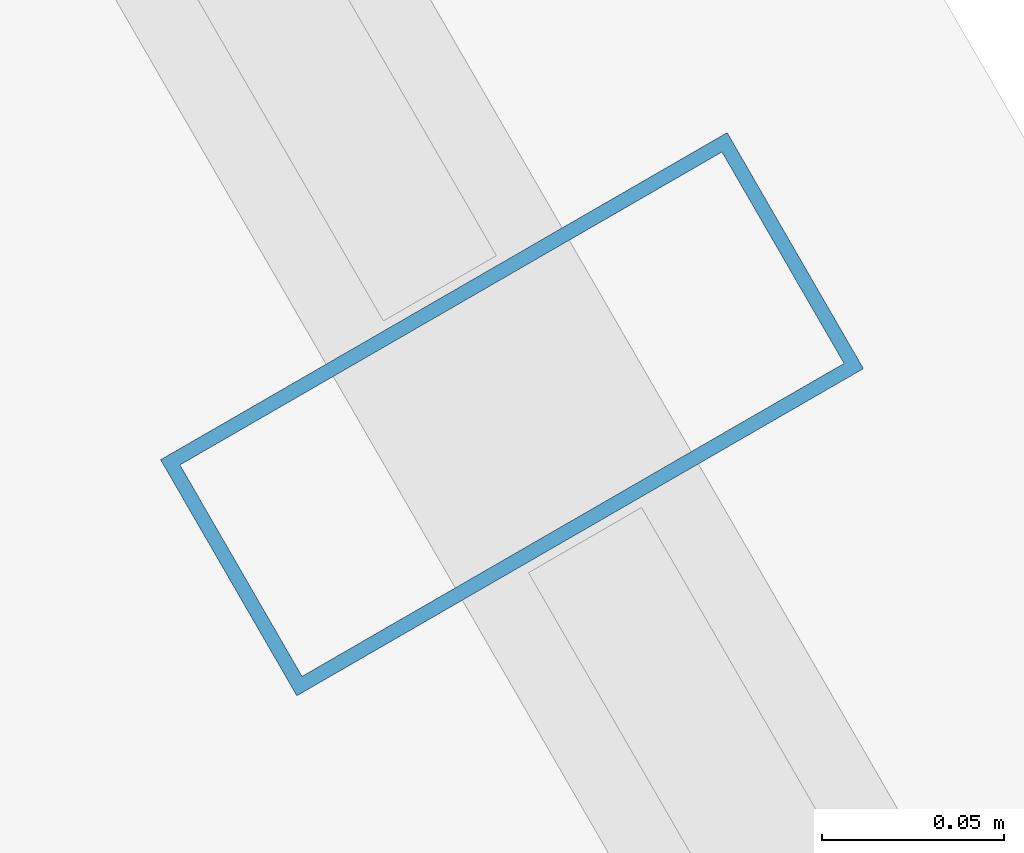
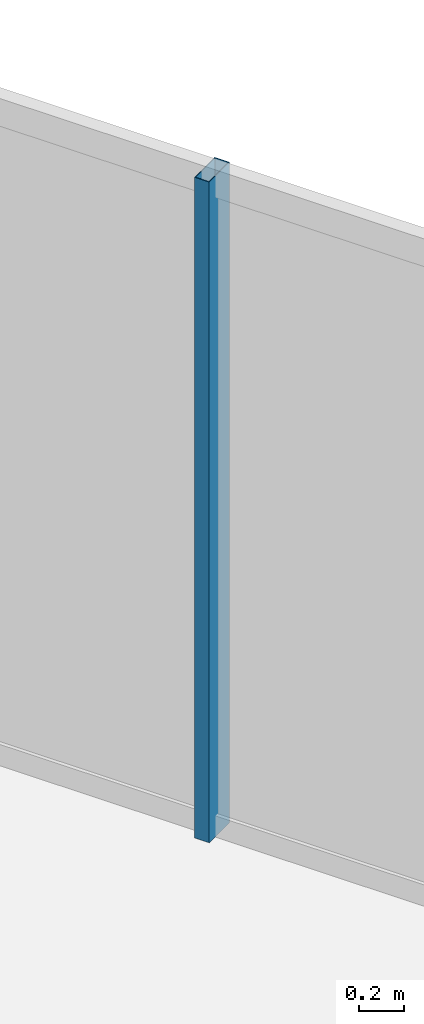
# One storey, part 19 of 31: 1 member, 1 element without a shape of its own.
"""IFC4 building model written with IfcOpenShell, lengths in metres."""

from ifc_helpers import new_model, si_unit, direction, frame, origin, origin_2d, place, context, subcontext, project, spatial, hollow_rectangle, extrude, material, layer, layer_set, material_profile, profile_set, type_object, element, aggregate, save


model = new_model("IFC4")

# Units and contexts
model_context = context("Model", 3, precision=1e-05, world=origin(), true_north=direction((0.0, 1.0)))
body_context = subcontext(model_context, "Body", "Model", "MODEL_VIEW")
ifc_project = project(units=[si_unit("LENGTHUNIT", "METRE"), si_unit("AREAUNIT", "SQUARE_METRE"), si_unit("VOLUMEUNIT", "CUBIC_METRE"), si_unit("PLANEANGLEUNIT", "RADIAN"), si_unit("MASSUNIT", "GRAM", prefix="KILO")], contexts=[model_context])

# Site, building, storey
site_placement = place(None, origin())
site = spatial("IfcSite", under=ifc_project, at=site_placement, CompositionType="ELEMENT")
building_placement = place(site_placement, origin())
building = spatial("IfcBuilding", under=site, at=building_placement, Name="Ndaravel Arena Tower", CompositionType="ELEMENT")
storey_placement = place(building_placement, frame((0.0, 0.0, 142.199951171875)))
storey = spatial("IfcBuildingStorey", under=building, at=storey_placement, Name="L33", CompositionType="ELEMENT", Elevation=142.199951171875)

# Curtain wall, member
ifc_material_1 = material(Name="Aluminium", Category="aluminium")
ifc_layer = layer(ifc_material_1, 0.179931640625)
ifc_layer_set = layer_set([ifc_layer], Name="Aluminium")
curtain_wall_type = type_object("IfcCurtainWallType", Name="CW-SYS-03", PredefinedType="NOTDEFINED", material=ifc_layer_set)
curtain_wall_placement = place(storey_placement, origin())
curtain_wall = element("IfcCurtainWall", 1, at=curtain_wall_placement, inside=storey, type_object=curtain_wall_type, Name="L33 Faceted Crystal Curtain Wall CW-L33-E03", PredefinedType="NOTDEFINED")
ifc_material_2 = material(Name="Aluminium", Category="aluminium")
ifc_material_profile = material_profile(ifc_material_2, hollow_rectangle(XDim=0.074951171875, YDim=0.179931640625, WallThickness=0.00390625, at=origin_2d()), Name="CW MULLION 75x180x4")
ifc_profile_set = profile_set([ifc_material_profile], Name="Aluminium")
member_type = type_object("IfcMemberType", Name="MEM-CW-MUL180", PredefinedType="MULLION", material=ifc_profile_set)
member_placement = place(storey_placement, frame((54.539306640625, 34.5693359375, 0.0), z_axis=(0.0, 0.0, 1.0), x_axis=(-0.5, 0.866025403784, 0.0)))
member = element("IfcMember", 2, at=member_placement, type_object=member_type, Name="CW-L33-E03 Mullion 05", PredefinedType="MULLION", context=body_context, shape_type="SweptSolid", body=[
    extrude(hollow_rectangle(XDim=0.074951171875, YDim=0.179931640625, WallThickness=0.00390625, at=origin_2d()), origin(), (0.0, 0.0, 1.0), 3.580078125),
])
aggregate(curtain_wall, [member])

save(model, "model.ifc")
